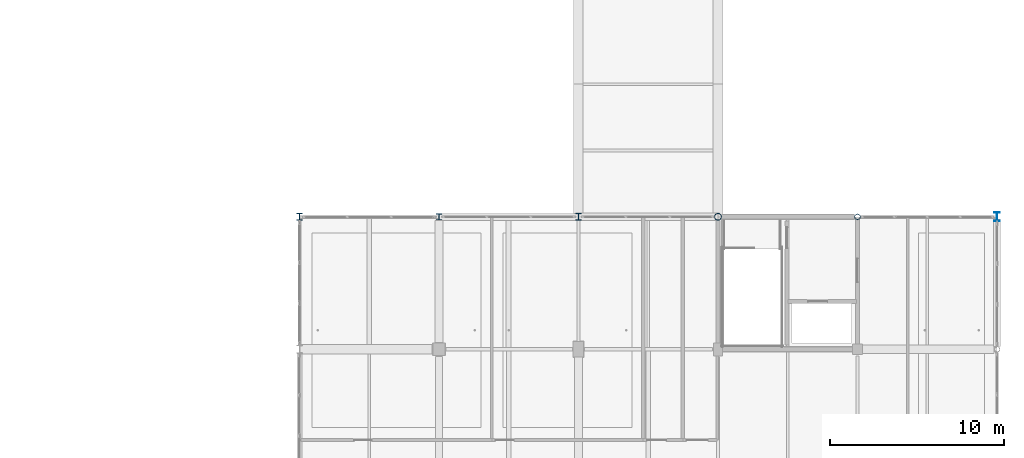
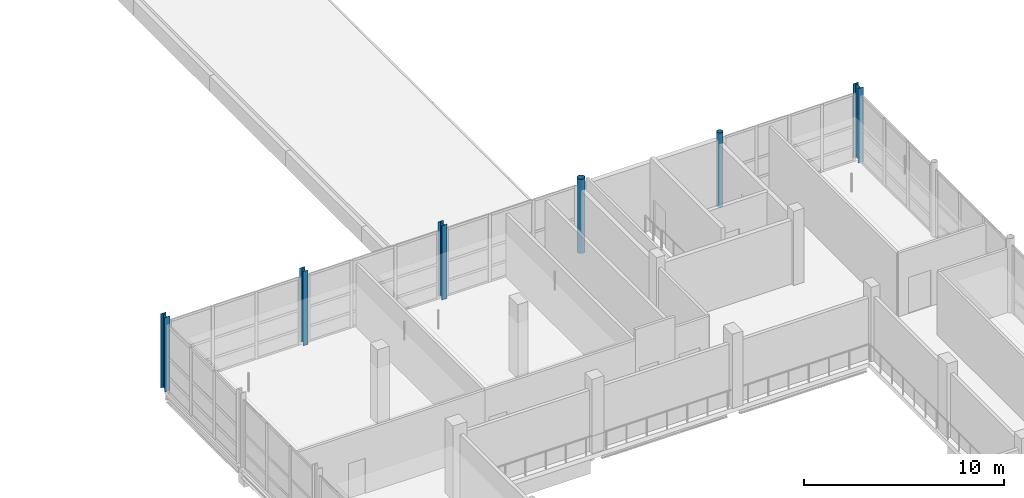
# One storey, part 7 of 107: 6 columns.
"""IFC4 building model written with IfcOpenShell, lengths in metres."""

from ifc_helpers import new_model, si_unit, direction, frame, origin, origin_2d, place, context, subcontext, project, spatial, hollow_circle, i_section, extrude, material, material_profile, profile_set, type_object, element, save


model = new_model("IFC4")

# Units and contexts
model_context = context("Model", 3, precision=1e-05, world=origin(), true_north=direction((0.0, 1.0)))
body_context = subcontext(model_context, "Body", "Model", "MODEL_VIEW")
ifc_project = project(units=[si_unit("LENGTHUNIT", "METRE"), si_unit("AREAUNIT", "SQUARE_METRE"), si_unit("VOLUMEUNIT", "CUBIC_METRE"), si_unit("PLANEANGLEUNIT", "RADIAN"), si_unit("MASSUNIT", "GRAM", prefix="KILO")], contexts=[model_context])

# Site, building, storey
site_placement = place(None, origin())
site = spatial("IfcSite", under=ifc_project, at=site_placement, CompositionType="ELEMENT")
building_placement = place(site_placement, origin())
building = spatial("IfcBuilding", under=site, at=building_placement, Name="Khelvaren Railside Concert Hall", CompositionType="ELEMENT")
storey_placement = place(building_placement, frame((0.0, 0.0, 15.0)))
storey = spatial("IfcBuildingStorey", under=building, at=storey_placement, Name="L03", CompositionType="ELEMENT", Elevation=15.0)

# Columns
ifc_material = material(Name="Steel S355", Category="steel")
ifc_material_profile_1 = material_profile(ifc_material, i_section(OverallWidth=0.300048828125, OverallDepth=0.360107421875, WebThickness=0.012451171875, FlangeThickness=0.0224609375, FilletRadius=0.027099609375, at=origin_2d()), Name="HEB 360")
ifc_profile_set_1 = profile_set([ifc_material_profile_1], Name="Steel S355")
column_type_1 = type_object("IfcColumnType", Name="COL12", PredefinedType="COLUMN", material=ifc_profile_set_1)
column_1_placement = place(storey_placement, frame((152.0, 38.0, 0.0), z_axis=(0.0, 0.0, 1.0), x_axis=(1.0, 0.0, 0.0)))
element("IfcColumn", 1, at=column_1_placement, inside=storey, type_object=column_type_1, Name="V2 L03 Column (152.0,38.0)", PredefinedType="COLUMN", context=body_context, shape_type="SweptSolid", body=[
    extrude(i_section(OverallWidth=0.300048828125, OverallDepth=0.360107421875, WebThickness=0.012451171875, FlangeThickness=0.0224609375, FilletRadius=0.027099609375, at=origin_2d()), origin(), (0.0, 0.0, 1.0), 4.530029296875),
])
ifc_material_profile_2 = material_profile(ifc_material, i_section(OverallWidth=0.300048828125, OverallDepth=0.5, WebThickness=0.014404296875, FlangeThickness=0.028076171875, FilletRadius=0.027099609375, at=origin_2d()), Name="HEB 500")
ifc_profile_set_2 = profile_set([ifc_material_profile_2], Name="Steel S355")
column_type_2 = type_object("IfcColumnType", Name="COL15", PredefinedType="COLUMN", material=ifc_profile_set_2)
column_2_placement = place(storey_placement, frame((184.0, 38.0, 0.0), z_axis=(0.0, 0.0, 1.0), x_axis=(1.0, 0.0, 0.0)))
element("IfcColumn", 2, at=column_2_placement, inside=storey, type_object=column_type_2, Name="V2 L03 Column (184.0,38.0)", PredefinedType="COLUMN", context=body_context, shape_type="SweptSolid", body=[
    extrude(i_section(OverallWidth=0.300048828125, OverallDepth=0.5, WebThickness=0.014404296875, FlangeThickness=0.028076171875, FilletRadius=0.027099609375, at=origin_2d()), origin(), (0.0, 0.0, 1.0), 4.530029296875),
])
ifc_material_profile_3 = material_profile(ifc_material, i_section(OverallWidth=0.300048828125, OverallDepth=0.389892578125, WebThickness=0.010986328125, FlangeThickness=0.01904296875, FilletRadius=0.027099609375, at=origin_2d()), Name="HEA 400")
ifc_profile_set_3 = profile_set([ifc_material_profile_3], Name="Steel S355")
column_type_3 = type_object("IfcColumnType", Name="COL23", PredefinedType="COLUMN", material=ifc_profile_set_3)
column_3_placement = place(storey_placement, frame((160.0, 38.0, 0.0), z_axis=(0.0, 0.0, 1.0), x_axis=(1.0, 0.0, 0.0)))
element("IfcColumn", 3, at=column_3_placement, inside=storey, type_object=column_type_3, Name="V2 L03 Column (160.0,38.0)", PredefinedType="COLUMN", context=body_context, shape_type="SweptSolid", body=[
    extrude(i_section(OverallWidth=0.300048828125, OverallDepth=0.389892578125, WebThickness=0.010986328125, FlangeThickness=0.01904296875, FilletRadius=0.027099609375, at=origin_2d()), origin(), (0.0, 0.0, 1.0), 4.530029296875),
])
ifc_material_profile_4 = material_profile(ifc_material, hollow_circle(Radius=0.203125, WallThickness=0.02001953125, at=origin_2d()), Name="CHS 406.4x20")
ifc_profile_set_4 = profile_set([ifc_material_profile_4], Name="Steel S355")
column_type_4 = type_object("IfcColumnType", Name="COL27", PredefinedType="COLUMN", material=ifc_profile_set_4)
column_4_placement = place(storey_placement, frame((168.0, 38.0, 0.0), z_axis=(0.0, 0.0, 1.0), x_axis=(1.0, 0.0, 0.0)))
element("IfcColumn", 4, at=column_4_placement, inside=storey, type_object=column_type_4, Name="V2 L03 Column (168.0,38.0)", PredefinedType="COLUMN", context=body_context, shape_type="SweptSolid", body=[
    extrude(hollow_circle(Radius=0.203125, WallThickness=0.02001953125, at=origin_2d()), origin(), (0.0, 0.0, 1.0), 4.530029296875),
])
ifc_material_profile_5 = material_profile(ifc_material, hollow_circle(Radius=0.161865234375, WallThickness=0.01611328125, at=origin_2d()), Name="CHS 323.9x16")
ifc_profile_set_5 = profile_set([ifc_material_profile_5], Name="Steel S355")
column_type_5 = type_object("IfcColumnType", Name="COL47", PredefinedType="COLUMN", material=ifc_profile_set_5)
column_5_placement = place(storey_placement, frame((176.0, 38.0, 0.0), z_axis=(0.0, 0.0, 1.0), x_axis=(1.0, 0.0, 0.0)))
element("IfcColumn", 5, at=column_5_placement, inside=storey, type_object=column_type_5, Name="V2 L03 Column (176.0,38.0)", PredefinedType="COLUMN", context=body_context, shape_type="SweptSolid", body=[
    extrude(hollow_circle(Radius=0.161865234375, WallThickness=0.01611328125, at=origin_2d()), origin(), (0.0, 0.0, 1.0), 4.530029296875),
])
ifc_material_profile_6 = material_profile(ifc_material, i_section(OverallWidth=0.300048828125, OverallDepth=0.39990234375, WebThickness=0.013427734375, FlangeThickness=0.02392578125, FilletRadius=0.027099609375, at=origin_2d()), Name="HEB 400")
ifc_profile_set_6 = profile_set([ifc_material_profile_6], Name="Steel S355")
column_type_6 = type_object("IfcColumnType", Name="COL88", PredefinedType="COLUMN", material=ifc_profile_set_6)
column_6_placement = place(storey_placement, frame((144.0, 38.0, 0.0), z_axis=(0.0, 0.0, 1.0), x_axis=(1.0, 0.0, 0.0)))
element("IfcColumn", 6, at=column_6_placement, inside=storey, type_object=column_type_6, Name="V2 L03 Column (144.0,38.0)", PredefinedType="COLUMN", context=body_context, shape_type="SweptSolid", body=[
    extrude(i_section(OverallWidth=0.300048828125, OverallDepth=0.39990234375, WebThickness=0.013427734375, FlangeThickness=0.02392578125, FilletRadius=0.027099609375, at=origin_2d()), origin(), (0.0, 0.0, 1.0), 4.530029296875),
])

save(model, "model.ifc")
